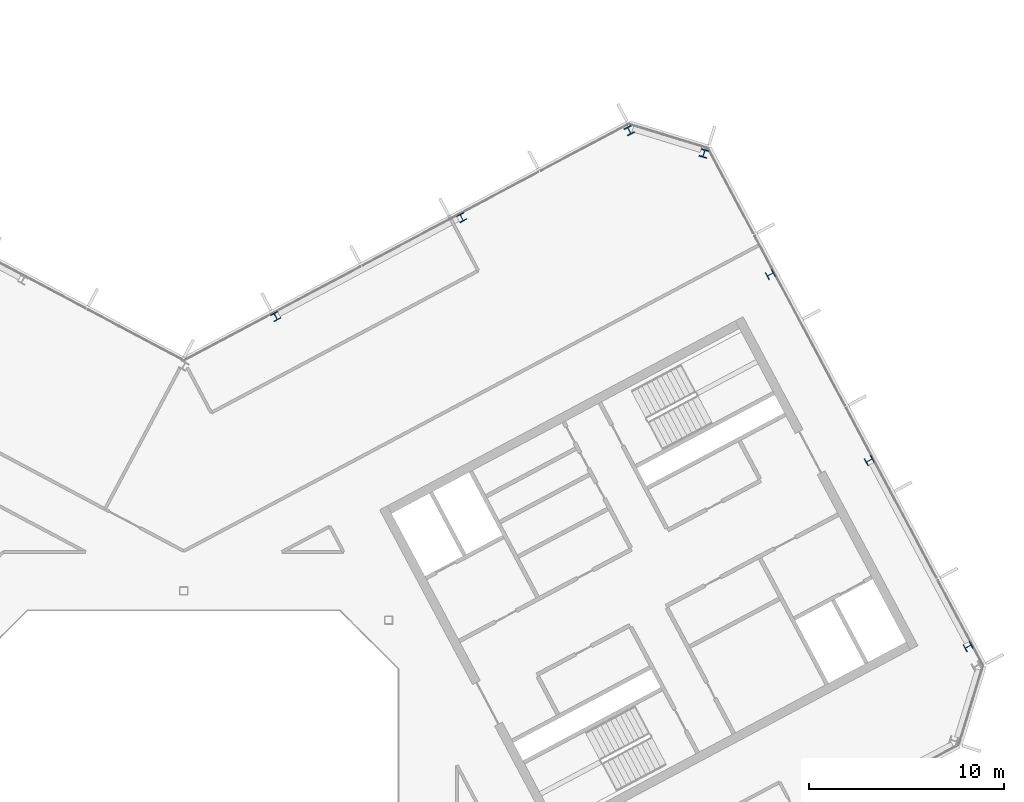
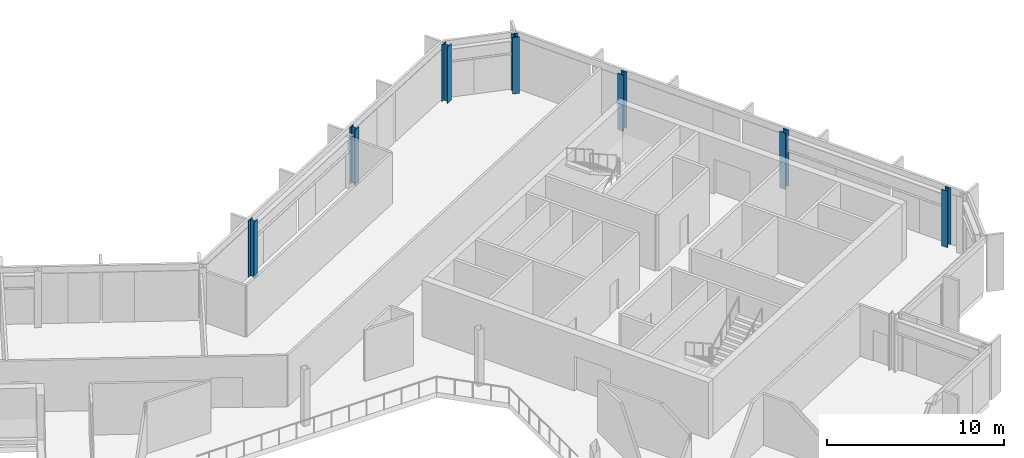
# One storey, part 7 of 26: 7 columns.
"""IFC4 building model written with IfcOpenShell, lengths in metres."""

from ifc_helpers import new_model, si_unit, direction, frame, origin, origin_2d, place, context, subcontext, project, spatial, i_section, extrude, material, material_profile, profile_set, type_object, element, save


model = new_model("IFC4")

# Units and contexts
model_context = context("Model", 3, precision=1e-05, world=origin(), true_north=direction((0.0, 1.0)))
body_context = subcontext(model_context, "Body", "Model", "MODEL_VIEW")
ifc_project = project(units=[si_unit("LENGTHUNIT", "METRE"), si_unit("AREAUNIT", "SQUARE_METRE"), si_unit("VOLUMEUNIT", "CUBIC_METRE"), si_unit("PLANEANGLEUNIT", "RADIAN"), si_unit("MASSUNIT", "GRAM", prefix="KILO")], contexts=[model_context])

# Site, building, storey
site_placement = place(None, origin())
site = spatial("IfcSite", under=ifc_project, at=site_placement, CompositionType="ELEMENT")
building_placement = place(site_placement, origin())
building = spatial("IfcBuilding", under=site, at=building_placement, Name="Cormorant Relay Tower", CompositionType="ELEMENT")
storey_placement = place(building_placement, frame((0.0, 0.0, 261.89990234375)))
storey = spatial("IfcBuildingStorey", under=building, at=storey_placement, Name="L58", CompositionType="ELEMENT", Elevation=261.89990234375)

# Columns
ifc_material_1 = material(Name="Steel ASTM A992 (Fy 345 MPa)", Category="steel")
ifc_material_profile_1 = material_profile(ifc_material_1, i_section(OverallWidth=0.398681640625, OverallDepth=0.385986328125, WebThickness=0.02099609375, FlangeThickness=0.033203125, FilletRadius=0.01513671875, at=origin_2d()), Name="W360x262")
ifc_profile_set_1 = profile_set([ifc_material_profile_1], Name="Steel ASTM A992 (Fy 345 MPa)")
column_type_1 = type_object("IfcColumnType", Name="Column W360x262", PredefinedType="COLUMN", material=ifc_profile_set_1)
for number, where, z_axis, x_axis, name in (
    (1, (40.2119140625, 9.14892578125, 0.0), (0.0, 0.0, 1.0), (-0.469471562786, 0.882947592859, 0.0), "Column L58-021"),
    (2, (35.14111328125, 18.68505859375, 0.0), (0.0, 0.0, 1.0), (-0.469471562786, 0.882947592859, 0.0), "Column L58-027"),
    (3, (4.715087890625, 26.06494140625, 0.0), (0.0, 0.0, 1.0), (-0.882947592859, -0.469471562786, 0.0), "Column L58-031"),
    (4, (30.071044921875, 28.220947265625, 0.0), (0.0, 0.0, 1.0), (-0.469471562786, 0.882947592859, 0.0), "Column L58-033"),
    (5, (14.2509765625, 31.135009765625, 0.0), (0.0, 0.0, 1.0), (-0.882947592859, -0.469471562786, 0.0), "Column L58-035"),
):
    element("IfcColumn", number, at=place(storey_placement, frame(where, z_axis=z_axis, x_axis=x_axis)), inside=storey, type_object=column_type_1, Name=name, PredefinedType="COLUMN", context=body_context, shape_type="SweptSolid", body=[
        extrude(i_section(OverallWidth=0.398681640625, OverallDepth=0.385986328125, WebThickness=0.02099609375, FlangeThickness=0.033203125, FilletRadius=0.01513671875, at=origin_2d()), origin(), (0.0, 0.0, 1.0), 3.900146484375),
    ])
ifc_material_2 = material(Name="Steel ASTM A992 (Fy 345 MPa)", Category="steel")
ifc_material_profile_2 = material_profile(ifc_material_2, i_section(OverallWidth=0.40380859375, OverallDepth=0.406494140625, WebThickness=0.027099609375, FlangeThickness=0.043701171875, FilletRadius=0.01513671875, at=origin_2d()), Name="W360x347")
ifc_profile_set_2 = profile_set([ifc_material_profile_2], Name="Steel ASTM A992 (Fy 345 MPa)")
column_type_2 = type_object("IfcColumnType", Name="Column W360x347", PredefinedType="COLUMN", material=ifc_profile_set_2)
for number, where, z_axis, x_axis, name in (
    (6, (26.6640625, 34.425048828125, 0.0), (0.0, 0.0, 1.0), (-0.956304755963, 0.292371704723, 0.0), "Column L58-038"),
    (7, (22.841064453125, 35.593994140625, 0.0), (0.0, 0.0, 1.0), (-0.882947592859, -0.469471562786, 0.0), "Column L58-039"),
):
    element("IfcColumn", number, at=place(storey_placement, frame(where, z_axis=z_axis, x_axis=x_axis)), inside=storey, type_object=column_type_2, Name=name, PredefinedType="COLUMN", context=body_context, shape_type="SweptSolid", body=[
        extrude(i_section(OverallWidth=0.40380859375, OverallDepth=0.406494140625, WebThickness=0.027099609375, FlangeThickness=0.043701171875, FilletRadius=0.01513671875, at=origin_2d()), origin(), (0.0, 0.0, 1.0), 3.900146484375),
    ])

save(model, "model.ifc")
